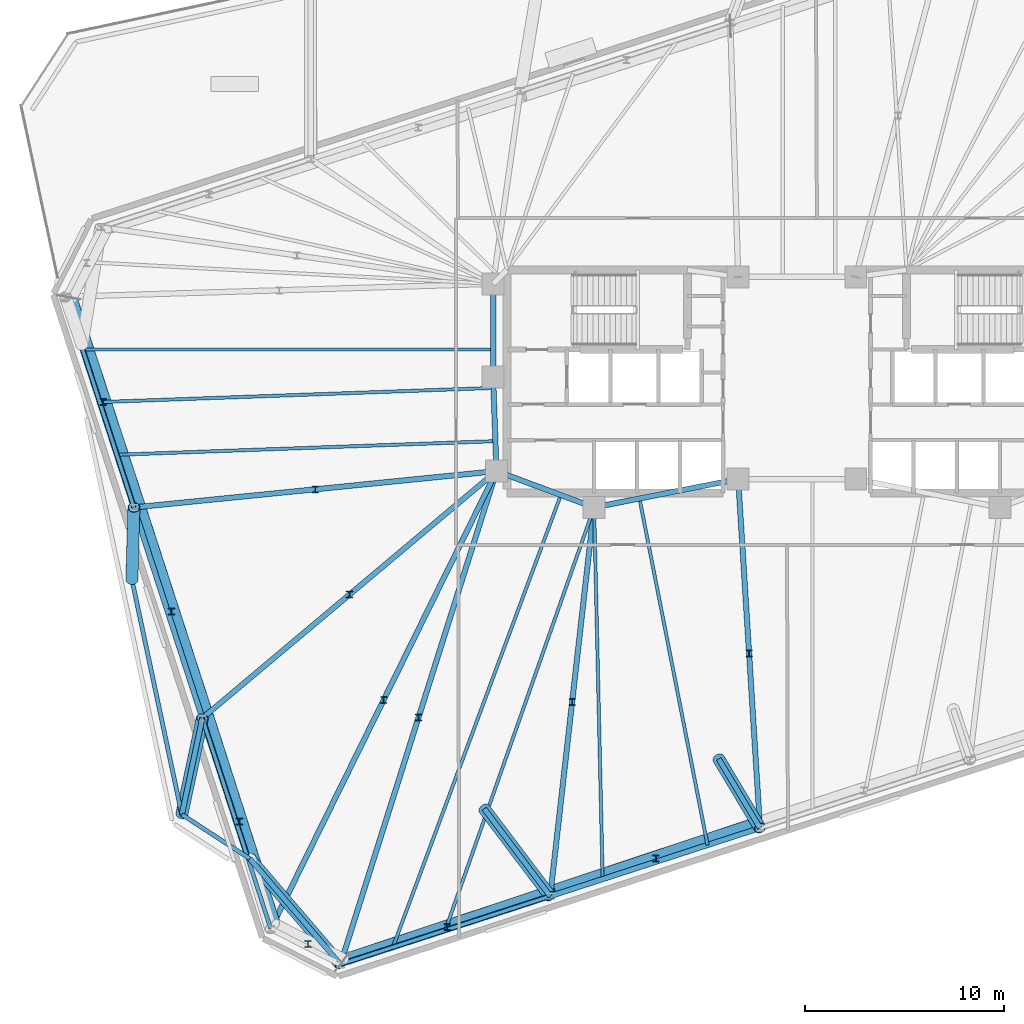
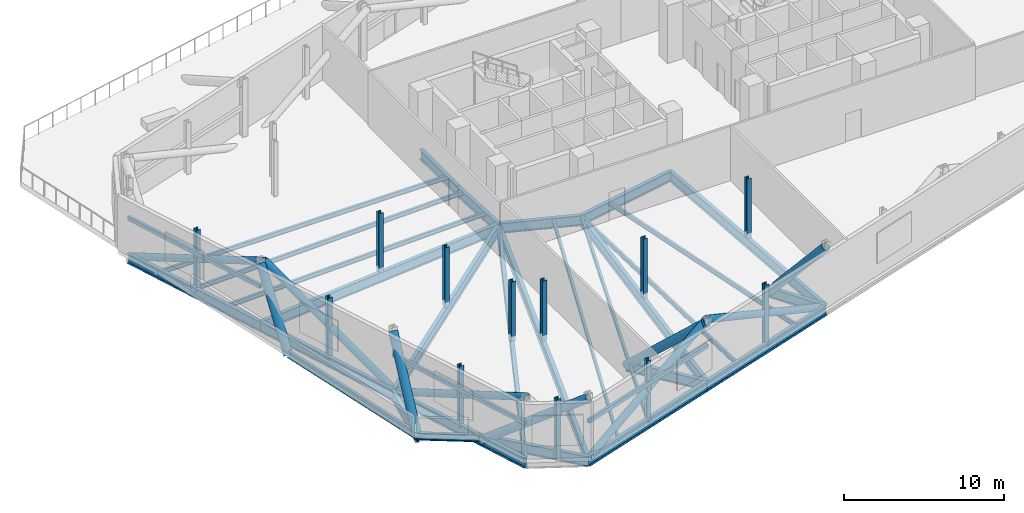
# One storey, part 5 of 16: 28 beams, 25 members.
"""IFC4 building model written with IfcOpenShell, lengths in metres."""

from ifc_helpers import new_model, si_unit, direction, frame, origin, origin_2d, place, context, subcontext, project, spatial, hollow_rectangle, hollow_circle, i_section, extrude, material, material_profile, profile_set, type_object, element, save


model = new_model("IFC4")

# Units and contexts
model_context = context("Model", 3, precision=1e-05, world=origin(), true_north=direction((0.0, 1.0)))
body_context = subcontext(model_context, "Body", "Model", "MODEL_VIEW")
ifc_project = project(units=[si_unit("LENGTHUNIT", "METRE"), si_unit("AREAUNIT", "SQUARE_METRE"), si_unit("VOLUMEUNIT", "CUBIC_METRE"), si_unit("PLANEANGLEUNIT", "RADIAN"), si_unit("MASSUNIT", "GRAM", prefix="KILO")], contexts=[model_context])

# Site, building, storey
site_placement = place(None, origin())
site = spatial("IfcSite", under=ifc_project, at=site_placement, CompositionType="ELEMENT")
building_placement = place(site_placement, origin())
building = spatial("IfcBuilding", under=site, at=building_placement, Name="Menara Jurai Vektor", CompositionType="ELEMENT")
storey_placement = place(building_placement, frame((0.0, 0.0, 202.39990234375)))
storey = spatial("IfcBuildingStorey", under=building, at=storey_placement, Name="L53", CompositionType="ELEMENT", Elevation=202.39990234375)

# Beams
ifc_material_1 = material(Name="Steel S355", Category="steel")
ifc_material_profile_1 = material_profile(ifc_material_1, i_section(OverallWidth=0.2109375, OverallDepth=0.5390625, WebThickness=0.011962890625, FlangeThickness=0.01904296875, FilletRadius=0.012939453125, at=origin_2d()), Name="UKB 533x210x109")
ifc_profile_set_1 = profile_set([ifc_material_profile_1], Name="Steel S355")
beam_type_1 = type_object("IfcBeamType", Name="STR-BM-533", PredefinedType="BEAM", material=ifc_profile_set_1)
beam_1_placement = place(storey_placement, frame((-33.377197265625, -9.94482421875, -0.67431640625), z_axis=(0.207921262698, -0.978145566119, 0.0), x_axis=(0.978145566119, 0.207921262698, 0.0)))
element("IfcBeam", 1, at=beam_1_placement, inside=storey, type_object=beam_type_1, Name="Step Terrace Edge Beam L53-19", PredefinedType="BEAM", context=body_context, shape_type="SweptSolid", body=[
    extrude(i_section(OverallWidth=0.2109375, OverallDepth=0.5390625, WebThickness=0.011962890625, FlangeThickness=0.01904296875, FilletRadius=0.012939453125, at=origin_2d()), origin(), (0.0, 0.0, 1.0), 12.052001953125),
])
beam_2_placement = place(storey_placement, frame((-30.871337890625, -21.7333984375, -0.67431640625), z_axis=(0.838648168484, -0.544673525608, 0.0), x_axis=(0.544673525608, 0.838648168484, 0.0)))
element("IfcBeam", 2, at=beam_2_placement, inside=storey, type_object=beam_type_1, Name="Step Terrace Edge Beam L53-20", PredefinedType="BEAM", context=body_context, shape_type="SweptSolid", body=[
    extrude(i_section(OverallWidth=0.2109375, OverallDepth=0.5390625, WebThickness=0.011962890625, FlangeThickness=0.01904296875, FilletRadius=0.012939453125, at=origin_2d()), origin(), (0.0, 0.0, 1.0), 4.061767578125),
])
ifc_material_2 = material(Name="Steel S460", Category="steel")
ifc_material_profile_2 = material_profile(ifc_material_2, i_section(OverallWidth=0.26806640625, OverallDepth=0.77001953125, WebThickness=0.01611328125, FlangeThickness=0.02490234375, FilletRadius=0.01708984375, at=origin_2d()), Name="UKB 762x267x197")
ifc_profile_set_2 = profile_set([ifc_material_profile_2], Name="Steel S460")
beam_type_2 = type_object("IfcBeamType", Name="STR-BM-TR762", PredefinedType="BEAM", material=ifc_profile_set_2)
beam_3_placement = place(storey_placement, frame((-15.25, 0.219970703125, -0.789794921875), z_axis=(0.0, 1.0, 0.0), x_axis=(-1.0, 0.0, 0.0)))
element("IfcBeam", 3, at=beam_3_placement, inside=storey, type_object=beam_type_2, Name="Core Ring Header Girder L53-CHW-W1", PredefinedType="BEAM", context=body_context, shape_type="SweptSolid", body=[
    extrude(i_section(OverallWidth=0.26806640625, OverallDepth=0.77001953125, WebThickness=0.01611328125, FlangeThickness=0.02490234375, FilletRadius=0.01708984375, at=origin_2d()), origin(), (0.0, 0.0, 1.0), 4.679931640625),
])
beam_4_placement = place(storey_placement, frame((-15.080078125, -4.5, -0.789794921875), z_axis=(-0.035977314146, 0.999352606874, 0.0), x_axis=(-0.999352606874, -0.035977314146, 0.0)))
element("IfcBeam", 4, at=beam_4_placement, inside=storey, type_object=beam_type_2, Name="Core Ring Header Girder L53-CHW-W2", PredefinedType="BEAM", context=body_context, shape_type="SweptSolid", body=[
    extrude(i_section(OverallWidth=0.26806640625, OverallDepth=0.77001953125, WebThickness=0.01611328125, FlangeThickness=0.02490234375, FilletRadius=0.01708984375, at=origin_2d()), origin(), (0.0, 0.0, 1.0), 4.72314453125),
])
beam_5_placement = place(storey_placement, frame((-15.080078125, -4.5, -0.789794921875), z_axis=(0.937424400887, -0.348188874925, 0.0), x_axis=(0.348188874925, 0.937424400887, 0.0)))
element("IfcBeam", 5, at=beam_5_placement, inside=storey, type_object=beam_type_2, Name="Core Ring Header Girder L53-CHW-S1", PredefinedType="BEAM", context=body_context, shape_type="SweptSolid", body=[
    extrude(i_section(OverallWidth=0.26806640625, OverallDepth=0.77001953125, WebThickness=0.01611328125, FlangeThickness=0.02490234375, FilletRadius=0.01708984375, at=origin_2d()), origin(), (0.0, 0.0, 1.0), 5.227294921875),
])
beam_6_placement = place(storey_placement, frame((-10.179931640625, -6.320068359375, -0.789794921875), z_axis=(0.981249044334, 0.192744164614, 0.0), x_axis=(-0.192744164614, 0.981249044334, 0.0)))
element("IfcBeam", 6, at=beam_6_placement, inside=storey, type_object=beam_type_2, Name="Core Ring Header Girder L53-CHW-S2", PredefinedType="BEAM", context=body_context, shape_type="SweptSolid", body=[
    extrude(i_section(OverallWidth=0.26806640625, OverallDepth=0.77001953125, WebThickness=0.01611328125, FlangeThickness=0.02490234375, FilletRadius=0.01708984375, at=origin_2d()), origin(), (0.0, 0.0, 1.0), 7.3681640625),
])
beam_7_placement = place(storey_placement, frame((-22.912841796875, -29.2509765625, -0.789794921875), z_axis=(0.951057401967, 0.309014268544, 0.0), x_axis=(-0.309014268544, 0.951057401967, 0.0)))
element("IfcBeam", 7, at=beam_7_placement, inside=storey, type_object=beam_type_2, Name="Belt Truss Bottom Chord L53-01", PredefinedType="BEAM", context=body_context, shape_type="SweptSolid", body=[
    extrude(i_section(OverallWidth=0.26806640625, OverallDepth=0.77001953125, WebThickness=0.01611328125, FlangeThickness=0.02490234375, FilletRadius=0.01708984375, at=origin_2d()), origin(), (0.0, 0.0, 1.0), 11.071044921875),
])
beam_8_placement = place(storey_placement, frame((-27.46484375, -23.94580078125, -0.789794921875), z_axis=(0.651179573936, -0.758923686867, 0.0), x_axis=(0.758923686867, 0.651179573936, 0.0)))
element("IfcBeam", 8, at=beam_8_placement, inside=storey, type_object=beam_type_2, Name="Cantilever Transfer Girder L53-S1", PredefinedType="BEAM", context=body_context, shape_type="SweptSolid", body=[
    extrude(i_section(OverallWidth=0.26806640625, OverallDepth=0.77001953125, WebThickness=0.01611328125, FlangeThickness=0.02490234375, FilletRadius=0.01708984375, at=origin_2d()), origin(), (0.0, 0.0, 1.0), 6.990478515625),
])
beam_9_placement = place(storey_placement, frame((-22.912841796875, -29.2509765625, -0.789794921875), z_axis=(0.301715059084, 0.953398145122, 0.0), x_axis=(-0.953398145122, 0.301715059084, 0.0)))
element("IfcBeam", 9, at=beam_9_placement, inside=storey, type_object=beam_type_2, Name="Outrigger Transfer Girder L53-S1", PredefinedType="BEAM", context=body_context, shape_type="SweptSolid", body=[
    extrude(i_section(OverallWidth=0.26806640625, OverallDepth=0.77001953125, WebThickness=0.01611328125, FlangeThickness=0.02490234375, FilletRadius=0.01708984375, at=origin_2d()), origin(), (0.0, 0.0, 1.0), 25.960693359375),
])
beam_10_placement = place(storey_placement, frame((-12.383544921875, -25.829833984375, -0.789794921875), z_axis=(0.951057401967, 0.309014268544, 0.0), x_axis=(-0.309014268544, 0.951057401967, 0.0)))
element("IfcBeam", 10, at=beam_10_placement, inside=storey, type_object=beam_type_2, Name="Belt Truss Bottom Chord L53-02", PredefinedType="BEAM", context=body_context, shape_type="SweptSolid", body=[
    extrude(i_section(OverallWidth=0.26806640625, OverallDepth=0.77001953125, WebThickness=0.01611328125, FlangeThickness=0.02490234375, FilletRadius=0.01708984375, at=origin_2d()), origin(), (0.0, 0.0, 1.0), 11.071044921875),
])
beam_11_placement = place(storey_placement, frame((-15.696533203125, -21.4443359375, -0.789794921875), z_axis=(0.602775276367, -0.797911001428, 0.0), x_axis=(0.797911001428, 0.602775276367, 0.0)))
element("IfcBeam", 11, at=beam_11_placement, inside=storey, type_object=beam_type_2, Name="Cantilever Transfer Girder L53-S2", PredefinedType="BEAM", context=body_context, shape_type="SweptSolid", body=[
    extrude(i_section(OverallWidth=0.26806640625, OverallDepth=0.77001953125, WebThickness=0.01611328125, FlangeThickness=0.02490234375, FilletRadius=0.01708984375, at=origin_2d()), origin(), (0.0, 0.0, 1.0), 5.496337890625),
])
beam_12_placement = place(storey_placement, frame((-12.383544921875, -25.829833984375, -0.789794921875), z_axis=(0.112235588534, 0.993681625404, 0.0), x_axis=(-0.993681625404, 0.112235588534, 0.0)))
element("IfcBeam", 12, at=beam_12_placement, inside=storey, type_object=beam_type_2, Name="Outrigger Transfer Girder L53-S2", PredefinedType="BEAM", context=body_context, shape_type="SweptSolid", body=[
    extrude(i_section(OverallWidth=0.26806640625, OverallDepth=0.77001953125, WebThickness=0.01611328125, FlangeThickness=0.02490234375, FilletRadius=0.01708984375, at=origin_2d()), origin(), (0.0, 0.0, 1.0), 19.6337890625),
])
beam_13_placement = place(storey_placement, frame((-3.928466796875, -18.94287109375, -0.789794921875), z_axis=(0.513535434058, -0.858068387698, 0.0), x_axis=(0.858068387698, 0.513535434058, 0.0)))
element("IfcBeam", 13, at=beam_13_placement, inside=storey, type_object=beam_type_2, Name="Cantilever Transfer Girder L53-S3", PredefinedType="BEAM", context=body_context, shape_type="SweptSolid", body=[
    extrude(i_section(OverallWidth=0.26806640625, OverallDepth=0.77001953125, WebThickness=0.01611328125, FlangeThickness=0.02490234375, FilletRadius=0.01708984375, at=origin_2d()), origin(), (0.0, 0.0, 1.0), 4.0390625),
])
beam_14_placement = place(storey_placement, frame((-1.854248046875, -22.40869140625, -0.789794921875), z_axis=(-0.062457995419, 0.998047593458, 0.0), x_axis=(-0.998047593458, -0.062457995419, 0.0)))
element("IfcBeam", 14, at=beam_14_placement, inside=storey, type_object=beam_type_2, Name="Outrigger Transfer Girder L53-S3", PredefinedType="BEAM", context=body_context, shape_type="SweptSolid", body=[
    extrude(i_section(OverallWidth=0.26806640625, OverallDepth=0.77001953125, WebThickness=0.01611328125, FlangeThickness=0.02490234375, FilletRadius=0.01708984375, at=origin_2d()), origin(), (0.0, 0.0, 1.0), 17.54296875),
])
beam_15_placement = place(storey_placement, frame((-36.71337890625, 4.251953125, -0.789794921875), z_axis=(0.309012092614, -0.95105810896, 0.0), x_axis=(0.95105810896, 0.309012092614, 0.0)))
element("IfcBeam", 15, at=beam_15_placement, inside=storey, type_object=beam_type_2, Name="Belt Truss Bottom Chord L53-17", PredefinedType="BEAM", context=body_context, shape_type="SweptSolid", body=[
    extrude(i_section(OverallWidth=0.26806640625, OverallDepth=0.77001953125, WebThickness=0.01611328125, FlangeThickness=0.02490234375, FilletRadius=0.01708984375, at=origin_2d()), origin(), (0.0, 0.0, 1.0), 11.11865234375),
])
beam_16_placement = place(storey_placement, frame((-33.277587890625, -6.322509765625, -0.789794921875), z_axis=(0.309018545885, -0.951056012178, 0.0), x_axis=(0.951056012178, 0.309018545885, 0.0)))
element("IfcBeam", 16, at=beam_16_placement, inside=storey, type_object=beam_type_2, Name="Belt Truss Bottom Chord L53-18", PredefinedType="BEAM", context=body_context, shape_type="SweptSolid", body=[
    extrude(i_section(OverallWidth=0.26806640625, OverallDepth=0.77001953125, WebThickness=0.01611328125, FlangeThickness=0.02490234375, FilletRadius=0.01708984375, at=origin_2d()), origin(), (0.0, 0.0, 1.0), 11.118408203125),
])
beam_17_placement = place(storey_placement, frame((-33.277587890625, -6.322509765625, -0.789794921875), z_axis=(0.995022243563, 0.099653072276, 0.0), x_axis=(-0.099653072276, 0.995022243563, 0.0)))
element("IfcBeam", 17, at=beam_17_placement, inside=storey, type_object=beam_type_2, Name="Outrigger Transfer Girder L53-W2", PredefinedType="BEAM", context=body_context, shape_type="SweptSolid", body=[
    extrude(i_section(OverallWidth=0.26806640625, OverallDepth=0.77001953125, WebThickness=0.01611328125, FlangeThickness=0.02490234375, FilletRadius=0.01708984375, at=origin_2d()), origin(), (0.0, 0.0, 1.0), 18.28857421875),
])
beam_18_placement = place(storey_placement, frame((-29.841796875, -16.896728515625, -0.789794921875), z_axis=(0.309012092614, -0.95105810896, 0.0), x_axis=(0.95105810896, 0.309012092614, 0.0)))
element("IfcBeam", 18, at=beam_18_placement, inside=storey, type_object=beam_type_2, Name="Belt Truss Bottom Chord L53-19", PredefinedType="BEAM", context=body_context, shape_type="SweptSolid", body=[
    extrude(i_section(OverallWidth=0.26806640625, OverallDepth=0.77001953125, WebThickness=0.01611328125, FlangeThickness=0.02490234375, FilletRadius=0.01708984375, at=origin_2d()), origin(), (0.0, 0.0, 1.0), 11.11865234375),
])
beam_19_placement = place(storey_placement, frame((-30.871337890625, -21.7333984375, -0.789794921875), z_axis=(0.20819708425, 0.978086894969, 0.0), x_axis=(-0.978086894969, 0.20819708425, 0.0)))
element("IfcBeam", 19, at=beam_19_placement, inside=storey, type_object=beam_type_2, Name="Cantilever Transfer Girder L53-W3", PredefinedType="BEAM", context=body_context, shape_type="SweptSolid", body=[
    extrude(i_section(OverallWidth=0.26806640625, OverallDepth=0.77001953125, WebThickness=0.01611328125, FlangeThickness=0.02490234375, FilletRadius=0.01708984375, at=origin_2d()), origin(), (0.0, 0.0, 1.0), 4.945068359375),
])
beam_20_placement = place(storey_placement, frame((-29.841796875, -16.896728515625, -0.789794921875), z_axis=(0.765784449649, 0.64309733064, 0.0), x_axis=(-0.64309733064, 0.765784449649, 0.0)))
element("IfcBeam", 20, at=beam_20_placement, inside=storey, type_object=beam_type_2, Name="Outrigger Transfer Girder L53-W3", PredefinedType="BEAM", context=body_context, shape_type="SweptSolid", body=[
    extrude(i_section(OverallWidth=0.26806640625, OverallDepth=0.77001953125, WebThickness=0.01611328125, FlangeThickness=0.02490234375, FilletRadius=0.01708984375, at=origin_2d()), origin(), (0.0, 0.0, 1.0), 19.276611328125),
])
beam_21_placement = place(storey_placement, frame((-26.406005859375, -27.47119140625, -0.789794921875), z_axis=(0.442219272094, 0.896906971424, 0.0), x_axis=(-0.896906971424, 0.442219272094, 0.0)))
element("IfcBeam", 21, at=beam_21_placement, inside=storey, type_object=beam_type_2, Name="Outrigger Transfer Girder L53-W4", PredefinedType="BEAM", context=body_context, shape_type="SweptSolid", body=[
    extrude(i_section(OverallWidth=0.26806640625, OverallDepth=0.77001953125, WebThickness=0.01611328125, FlangeThickness=0.02490234375, FilletRadius=0.01708984375, at=origin_2d()), origin(), (0.0, 0.0, 1.0), 25.611572265625),
])

# Members
ifc_material_profile_3 = material_profile(ifc_material_2, hollow_circle(Radius=0.25390625, WallThickness=0.02001953125, at=origin_2d()), Name="CHS 508x20")
ifc_profile_set_3 = profile_set([ifc_material_profile_3], Name="Steel S460")
member_type_1 = type_object("IfcMemberType", Name="STR-BR-508", PredefinedType="BRACE", material=ifc_profile_set_3)
member_1_placement = place(storey_placement, frame((-22.70849609375, -28.97900390625, -0.789794921875), z_axis=(0.870739638185, 0.288443688289, 0.398262126217), x_axis=(-0.314458305207, 0.949271285928, 0.0)))
element("IfcMember", 22, at=member_1_placement, inside=storey, type_object=member_type_1, Name="Belt Truss Web Diagonal L53-01", PredefinedType="BRACE", context=body_context, shape_type="SweptSolid", body=[
    extrude(hollow_circle(Radius=0.25390625, WallThickness=0.02001953125, at=origin_2d()), origin(), (0.0, 0.0, 1.0), 12.007080078125),
])
member_2_placement = place(storey_placement, frame((-1.86669921875, -22.06884765625, -0.789794921875), z_axis=(-0.869702185624, -0.288606042136, 0.400405620295), x_axis=(0.314955879371, -0.949106313355, 0.0)))
element("IfcMember", 23, at=member_2_placement, inside=storey, type_object=member_type_1, Name="Belt Truss Web Diagonal L53-02", PredefinedType="BRACE", context=body_context, shape_type="SweptSolid", body=[
    extrude(hollow_circle(Radius=0.25390625, WallThickness=0.02001953125, at=origin_2d()), origin(), (0.0, 0.0, 1.0), 11.94287109375),
])
member_3_placement = place(storey_placement, frame((-36.37939453125, 4.188720703125, -0.789794921875), z_axis=(0.286335898827, -0.871469457644, 0.398186812234), x_axis=(0.950033063474, 0.312149288491, 0.0)))
element("IfcMember", 24, at=member_3_placement, inside=storey, type_object=member_type_1, Name="Belt Truss Web Diagonal L53-17", PredefinedType="BRACE", context=body_context, shape_type="SweptSolid", body=[
    extrude(hollow_circle(Radius=0.25390625, WallThickness=0.02001953125, at=origin_2d()), origin(), (0.0, 0.0, 1.0), 12.00927734375),
])
member_4_placement = place(storey_placement, frame((-29.54248046875, -16.7353515625, -0.789794921875), z_axis=(-0.283389387179, 0.872156848809, 0.398789275571), x_axis=(-0.951053808599, -0.309025327682, 0.0)))
element("IfcMember", 25, at=member_4_placement, inside=storey, type_object=member_type_1, Name="Belt Truss Web Diagonal L53-18", PredefinedType="BRACE", context=body_context, shape_type="SweptSolid", body=[
    extrude(hollow_circle(Radius=0.25390625, WallThickness=0.02001953125, at=origin_2d()), origin(), (0.0, 0.0, 1.0), 11.9912109375),
])
member_5_placement = place(storey_placement, frame((-29.54248046875, -16.7353515625, -0.789794921875), z_axis=(0.28058251207, -0.873338988447, 0.398186470361), x_axis=(0.952070979814, 0.305877180247, 0.0)))
element("IfcMember", 26, at=member_5_placement, inside=storey, type_object=member_type_1, Name="Belt Truss Web Diagonal L53-19", PredefinedType="BRACE", context=body_context, shape_type="SweptSolid", body=[
    extrude(hollow_circle(Radius=0.25390625, WallThickness=0.02001953125, at=origin_2d()), origin(), (0.0, 0.0, 1.0), 12.009521484375),
])
ifc_material_profile_4 = material_profile(ifc_material_2, hollow_rectangle(XDim=0.199951171875, YDim=0.300048828125, WallThickness=0.012451171875, at=origin_2d()), Name="RHS 300x200x12.5")
ifc_profile_set_4 = profile_set([ifc_material_profile_4], Name="Steel S460")
member_type_2 = type_object("IfcMemberType", Name="STR-CH-RHS300", PredefinedType="CHORD", material=ifc_profile_set_4)
member_6_placement = place(storey_placement, frame((-22.912841796875, -29.2509765625, 2.22998046875), z_axis=(0.951057401967, 0.309014268544, 0.0), x_axis=(-0.309014268544, 0.951057401967, 0.0)))
element("IfcMember", 27, at=member_6_placement, inside=storey, type_object=member_type_2, Name="Belt Truss Mid Chord L53-01", PredefinedType="CHORD", context=body_context, shape_type="SweptSolid", body=[
    extrude(hollow_rectangle(XDim=0.199951171875, YDim=0.300048828125, WallThickness=0.012451171875, at=origin_2d()), origin(), (0.0, 0.0, 1.0), 11.071044921875),
])
member_7_placement = place(storey_placement, frame((-36.71337890625, 4.251953125, 2.22998046875), z_axis=(0.309018545885, -0.951056012178, 0.0), x_axis=(0.951056012178, 0.309018545885, 0.0)))
element("IfcMember", 28, at=member_7_placement, inside=storey, type_object=member_type_2, Name="Belt Truss Mid Chord L53-17", PredefinedType="CHORD", context=body_context, shape_type="SweptSolid", body=[
    extrude(hollow_rectangle(XDim=0.199951171875, YDim=0.300048828125, WallThickness=0.012451171875, at=origin_2d()), origin(), (0.0, 0.0, 1.0), 11.118408203125),
])
member_8_placement = place(storey_placement, frame((-29.841796875, -16.896728515625, 2.22998046875), z_axis=(0.309012092614, -0.95105810896, 0.0), x_axis=(0.95105810896, 0.309012092614, 0.0)))
element("IfcMember", 29, at=member_8_placement, inside=storey, type_object=member_type_2, Name="Belt Truss Mid Chord L53-19", PredefinedType="CHORD", context=body_context, shape_type="SweptSolid", body=[
    extrude(hollow_rectangle(XDim=0.199951171875, YDim=0.300048828125, WallThickness=0.012451171875, at=origin_2d()), origin(), (0.0, 0.0, 1.0), 11.11865234375),
])

# Beams
ifc_material_profile_5 = material_profile(ifc_material_1, i_section(OverallWidth=0.1650390625, OverallDepth=0.330078125, WebThickness=0.009033203125, FlangeThickness=0.013916015625, at=origin_2d()), Name="PG 330x165x46")
ifc_profile_set_5 = profile_set([ifc_material_profile_5], Name="Steel S355")
beam_type_3 = type_object("IfcBeamType", Name="STR-JS-330", PredefinedType="JOIST", material=ifc_profile_set_5)
beam_22_placement = place(storey_placement, frame((-20.280517578125, -28.395751953125, -0.56982421875), z_axis=(0.348182225555, 0.937426870645, 0.0), x_axis=(-0.937426870645, 0.348182225555, 0.0)))
element("IfcBeam", 30, at=beam_22_placement, inside=storey, type_object=beam_type_3, Name="Radial Secondary Floor Joist L53-JS01", PredefinedType="JOIST", context=body_context, shape_type="SweptSolid", body=[
    extrude(i_section(OverallWidth=0.1650390625, OverallDepth=0.330078125, WebThickness=0.009033203125, FlangeThickness=0.013916015625, at=origin_2d()), origin(), (0.0, 0.0, 1.0), 24.211181640625),
])
beam_23_placement = place(storey_placement, frame((-17.648193359375, -27.540283203125, -0.56982421875), z_axis=(0.331980963321, 0.943286085974, 0.0), x_axis=(-0.943286085974, 0.331980963321, 0.0)))
element("IfcBeam", 31, at=beam_23_placement, inside=storey, type_object=beam_type_3, Name="Radial Secondary Floor Joist L53-JS02", PredefinedType="JOIST", context=body_context, shape_type="SweptSolid", body=[
    extrude(i_section(OverallWidth=0.1650390625, OverallDepth=0.330078125, WebThickness=0.009033203125, FlangeThickness=0.013916015625, at=origin_2d()), origin(), (0.0, 0.0, 1.0), 22.49609375),
])
beam_24_placement = place(storey_placement, frame((-9.751220703125, -24.974609375, -0.56982421875), z_axis=(-0.022975519442, 0.999736027913, 0.0), x_axis=(-0.999736027913, -0.022975519442, 0.0)))
element("IfcBeam", 32, at=beam_24_placement, inside=storey, type_object=beam_type_3, Name="Radial Secondary Floor Joist L53-JS03", PredefinedType="JOIST", context=body_context, shape_type="SweptSolid", body=[
    extrude(i_section(OverallWidth=0.1650390625, OverallDepth=0.330078125, WebThickness=0.009033203125, FlangeThickness=0.013916015625, at=origin_2d()), origin(), (0.0, 0.0, 1.0), 18.659423828125),
])
beam_25_placement = place(storey_placement, frame((-4.486572265625, -23.263916015625, -0.56982421875), z_axis=(-0.192724225092, 0.981252960792, 0.0), x_axis=(-0.981252960792, -0.192724225092, 0.0)))
element("IfcBeam", 33, at=beam_25_placement, inside=storey, type_object=beam_type_3, Name="Radial Secondary Floor Joist L53-JS04", PredefinedType="JOIST", context=body_context, shape_type="SweptSolid", body=[
    extrude(i_section(OverallWidth=0.1650390625, OverallDepth=0.330078125, WebThickness=0.009033203125, FlangeThickness=0.013916015625, at=origin_2d()), origin(), (0.0, 0.0, 1.0), 17.7236328125),
])
beam_26_placement = place(storey_placement, frame((-35.8544921875, 1.6083984375, -0.56982421875), z_axis=(1.0, 0.0, 0.0), x_axis=(0.0, 1.0, 0.0)))
element("IfcBeam", 34, at=beam_26_placement, inside=storey, type_object=beam_type_3, Name="Radial Secondary Floor Joist L53-JS28", PredefinedType="JOIST", context=body_context, shape_type="SweptSolid", body=[
    extrude(i_section(OverallWidth=0.1650390625, OverallDepth=0.330078125, WebThickness=0.009033203125, FlangeThickness=0.013916015625, at=origin_2d()), origin(), (0.0, 0.0, 1.0), 20.6044921875),
])
beam_27_placement = place(storey_placement, frame((-34.99560546875, -1.03515625, -0.56982421875), z_axis=(0.999351957959, 0.035995334734, 0.0), x_axis=(-0.035995334734, 0.999351957959, 0.0)))
element("IfcBeam", 35, at=beam_27_placement, inside=storey, type_object=beam_type_3, Name="Radial Secondary Floor Joist L53-JS29", PredefinedType="JOIST", context=body_context, shape_type="SweptSolid", body=[
    extrude(i_section(OverallWidth=0.1650390625, OverallDepth=0.330078125, WebThickness=0.009033203125, FlangeThickness=0.013916015625, at=origin_2d()), origin(), (0.0, 0.0, 1.0), 19.77783203125),
])
beam_28_placement = place(storey_placement, frame((-34.136474609375, -3.6787109375, -0.56982421875), z_axis=(0.999352161922, 0.035989671603, 0.0), x_axis=(-0.035989671603, 0.999352161922, 0.0)))
element("IfcBeam", 36, at=beam_28_placement, inside=storey, type_object=beam_type_3, Name="Radial Secondary Floor Joist L53-JS30", PredefinedType="JOIST", context=body_context, shape_type="SweptSolid", body=[
    extrude(i_section(OverallWidth=0.1650390625, OverallDepth=0.330078125, WebThickness=0.009033203125, FlangeThickness=0.013916015625, at=origin_2d()), origin(), (0.0, 0.0, 1.0), 19.014404296875),
])

# Members
ifc_material_profile_6 = material_profile(ifc_material_2, i_section(OverallWidth=0.31103515625, OverallDepth=0.326904296875, WebThickness=0.01611328125, FlangeThickness=0.02490234375, FilletRadius=0.014892578125, at=origin_2d()), Name="UKC 305x305x158")
ifc_profile_set_6 = profile_set([ifc_material_profile_6], Name="Steel S460")
member_type_3 = type_object("IfcMemberType", Name="STR-POST-305", PredefinedType="POST", material=ifc_profile_set_6)
member_9_placement = place(storey_placement, frame((-18.996337890625, -16.87548828125, -0.40478515625), z_axis=(0.0, 0.0, 1.0), x_axis=(1.0, 0.0, 0.0)))
element("IfcMember", 37, at=member_9_placement, inside=storey, type_object=member_type_3, Name="Girder Hanger L53-S1", PredefinedType="POST", context=body_context, shape_type="SweptSolid", body=[
    extrude(i_section(OverallWidth=0.31103515625, OverallDepth=0.326904296875, WebThickness=0.01611328125, FlangeThickness=0.02490234375, FilletRadius=0.014892578125, at=origin_2d()), origin(), (0.0, 0.0, 1.0), 4.554931640625),
])
member_10_placement = place(storey_placement, frame((-17.55615234375, -27.385498046875, -0.7548828125), z_axis=(0.0, 0.0, 1.0), x_axis=(1.0, 0.0, 0.0)))
element("IfcMember", 38, at=member_10_placement, inside=storey, type_object=member_type_3, Name="Belt Truss Vertical Web Post L53-01", PredefinedType="POST", context=body_context, shape_type="SweptSolid", body=[
    extrude(i_section(OverallWidth=0.31103515625, OverallDepth=0.326904296875, WebThickness=0.01611328125, FlangeThickness=0.02490234375, FilletRadius=0.014892578125, at=origin_2d()), origin(), (0.0, 0.0, 1.0), 4.705078125),
])
member_11_placement = place(storey_placement, frame((-11.28173828125, -16.074951171875, -0.40478515625), z_axis=(0.0, 0.0, 1.0), x_axis=(1.0, 0.0, 0.0)))
element("IfcMember", 39, at=member_11_placement, inside=storey, type_object=member_type_3, Name="Girder Hanger L53-S2", PredefinedType="POST", context=body_context, shape_type="SweptSolid", body=[
    extrude(i_section(OverallWidth=0.31103515625, OverallDepth=0.326904296875, WebThickness=0.01611328125, FlangeThickness=0.02490234375, FilletRadius=0.014892578125, at=origin_2d()), origin(), (0.0, 0.0, 1.0), 4.554931640625),
])
member_12_placement = place(storey_placement, frame((-7.08251953125, -23.94287109375, -0.7548828125), z_axis=(0.0, 0.0, 1.0), x_axis=(1.0, 0.0, 0.0)))
element("IfcMember", 40, at=member_12_placement, inside=storey, type_object=member_type_3, Name="Belt Truss Vertical Web Post L53-02", PredefinedType="POST", context=body_context, shape_type="SweptSolid", body=[
    extrude(i_section(OverallWidth=0.31103515625, OverallDepth=0.326904296875, WebThickness=0.01611328125, FlangeThickness=0.02490234375, FilletRadius=0.014892578125, at=origin_2d()), origin(), (0.0, 0.0, 1.0), 4.705078125),
])
member_13_placement = place(storey_placement, frame((-2.402099609375, -13.654296875, -0.40478515625), z_axis=(0.0, 0.0, 1.0), x_axis=(1.0, 0.0, 0.0)))
element("IfcMember", 41, at=member_13_placement, inside=storey, type_object=member_type_3, Name="Girder Hanger L53-S3", PredefinedType="POST", context=body_context, shape_type="SweptSolid", body=[
    extrude(i_section(OverallWidth=0.31103515625, OverallDepth=0.326904296875, WebThickness=0.01611328125, FlangeThickness=0.02490234375, FilletRadius=0.014892578125, at=origin_2d()), origin(), (0.0, 0.0, 1.0), 4.554931640625),
])
member_14_placement = place(storey_placement, frame((-34.815673828125, -1.041748046875, -0.7548828125), z_axis=(0.0, 0.0, 1.0), x_axis=(1.0, 0.0, 0.0)))
element("IfcMember", 42, at=member_14_placement, inside=storey, type_object=member_type_3, Name="Belt Truss Vertical Web Post L53-17", PredefinedType="POST", context=body_context, shape_type="SweptSolid", body=[
    extrude(i_section(OverallWidth=0.31103515625, OverallDepth=0.326904296875, WebThickness=0.01611328125, FlangeThickness=0.02490234375, FilletRadius=0.014892578125, at=origin_2d()), origin(), (0.0, 0.0, 1.0), 4.705078125),
])
member_15_placement = place(storey_placement, frame((-24.1787109375, -5.4111328125, -0.40478515625), z_axis=(0.0, 0.0, 1.0), x_axis=(1.0, 0.0, 0.0)))
element("IfcMember", 43, at=member_15_placement, inside=storey, type_object=member_type_3, Name="Girder Hanger L53-W2", PredefinedType="POST", context=body_context, shape_type="SweptSolid", body=[
    extrude(i_section(OverallWidth=0.31103515625, OverallDepth=0.326904296875, WebThickness=0.01611328125, FlangeThickness=0.02490234375, FilletRadius=0.014892578125, at=origin_2d()), origin(), (0.0, 0.0, 1.0), 4.554931640625),
])
member_16_placement = place(storey_placement, frame((-31.388427734375, -11.553955078125, -0.7548828125), z_axis=(0.0, 0.0, 1.0), x_axis=(1.0, 0.0, 0.0)))
element("IfcMember", 44, at=member_16_placement, inside=storey, type_object=member_type_3, Name="Belt Truss Vertical Web Post L53-18", PredefinedType="POST", context=body_context, shape_type="SweptSolid", body=[
    extrude(i_section(OverallWidth=0.31103515625, OverallDepth=0.326904296875, WebThickness=0.01611328125, FlangeThickness=0.02490234375, FilletRadius=0.014892578125, at=origin_2d()), origin(), (0.0, 0.0, 1.0), 4.705078125),
])
member_17_placement = place(storey_placement, frame((-22.4609375, -10.698486328125, -0.40478515625), z_axis=(0.0, 0.0, 1.0), x_axis=(1.0, 0.0, 0.0)))
element("IfcMember", 45, at=member_17_placement, inside=storey, type_object=member_type_3, Name="Girder Hanger L53-W3", PredefinedType="POST", context=body_context, shape_type="SweptSolid", body=[
    extrude(i_section(OverallWidth=0.31103515625, OverallDepth=0.326904296875, WebThickness=0.01611328125, FlangeThickness=0.02490234375, FilletRadius=0.014892578125, at=origin_2d()), origin(), (0.0, 0.0, 1.0), 4.554931640625),
])
member_18_placement = place(storey_placement, frame((-27.982177734375, -22.072998046875, -0.7548828125), z_axis=(0.0, 0.0, 1.0), x_axis=(1.0, 0.0, 0.0)))
element("IfcMember", 46, at=member_18_placement, inside=storey, type_object=member_type_3, Name="Belt Truss Vertical Web Post L53-19", PredefinedType="POST", context=body_context, shape_type="SweptSolid", body=[
    extrude(i_section(OverallWidth=0.31103515625, OverallDepth=0.326904296875, WebThickness=0.01611328125, FlangeThickness=0.02490234375, FilletRadius=0.014892578125, at=origin_2d()), origin(), (0.0, 0.0, 1.0), 4.705078125),
])
member_19_placement = place(storey_placement, frame((-20.742919921875, -15.985595703125, -0.40478515625), z_axis=(0.0, 0.0, 1.0), x_axis=(1.0, 0.0, 0.0)))
element("IfcMember", 47, at=member_19_placement, inside=storey, type_object=member_type_3, Name="Girder Hanger L53-W4", PredefinedType="POST", context=body_context, shape_type="SweptSolid", body=[
    extrude(i_section(OverallWidth=0.31103515625, OverallDepth=0.326904296875, WebThickness=0.01611328125, FlangeThickness=0.02490234375, FilletRadius=0.014892578125, at=origin_2d()), origin(), (0.0, 0.0, 1.0), 4.554931640625),
])
member_20_placement = place(storey_placement, frame((-24.543212890625, -28.223388671875, -0.7548828125), z_axis=(0.0, 0.0, 1.0), x_axis=(1.0, 0.0, 0.0)))
element("IfcMember", 48, at=member_20_placement, inside=storey, type_object=member_type_3, Name="Belt Truss Vertical Web Post L53-20", PredefinedType="POST", context=body_context, shape_type="SweptSolid", body=[
    extrude(i_section(OverallWidth=0.31103515625, OverallDepth=0.326904296875, WebThickness=0.01611328125, FlangeThickness=0.02490234375, FilletRadius=0.014892578125, at=origin_2d()), origin(), (0.0, 0.0, 1.0), 4.705078125),
])
ifc_material_profile_7 = material_profile(ifc_material_2, hollow_circle(Radius=0.304931640625, WallThickness=0.02490234375, at=origin_2d()), Name="CHS 610x25")
ifc_profile_set_7 = profile_set([ifc_material_profile_7], Name="Steel S460")
member_type_4 = type_object("IfcMemberType", Name="STR-ST-610", PredefinedType="STRUT", material=ifc_profile_set_7)
member_21_placement = place(storey_placement, frame((-27.46484375, -23.94580078125, -0.789794921875), z_axis=(0.537456154361, -0.626383600658, 0.564610013165), x_axis=(0.758923686867, 0.651179573936, 0.0)))
element("IfcMember", 49, at=member_21_placement, inside=storey, type_object=member_type_4, Name="Transfer Outrigger Strut L53-S1", PredefinedType="STRUT", context=body_context, shape_type="SweptSolid", body=[
    extrude(hollow_circle(Radius=0.304931640625, WallThickness=0.02490234375, at=origin_2d()), origin(), (0.0, 0.0, 1.0), 8.469482421875),
])
member_22_placement = place(storey_placement, frame((-15.696533203125, -21.4443359375, -0.789794921875), z_axis=(0.45474869364, -0.6019639487, 0.656386342102), x_axis=(0.797911001428, 0.602775276367, 0.0)))
element("IfcMember", 50, at=member_22_placement, inside=storey, type_object=member_type_4, Name="Transfer Outrigger Strut L53-S2", PredefinedType="STRUT", context=body_context, shape_type="SweptSolid", body=[
    extrude(hollow_circle(Radius=0.304931640625, WallThickness=0.02490234375, at=origin_2d()), origin(), (0.0, 0.0, 1.0), 7.285400390625),
])
member_23_placement = place(storey_placement, frame((-3.928466796875, -18.94287109375, -0.789794921875), z_axis=(0.331370006852, -0.553687454952, 0.763952957182), x_axis=(0.858068387698, 0.513535434058, 0.0)))
element("IfcMember", 51, at=member_23_placement, inside=storey, type_object=member_type_4, Name="Transfer Outrigger Strut L53-S3", PredefinedType="STRUT", context=body_context, shape_type="SweptSolid", body=[
    extrude(hollow_circle(Radius=0.304931640625, WallThickness=0.02490234375, at=origin_2d()), origin(), (0.0, 0.0, 1.0), 6.259521484375),
])
member_24_placement = place(storey_placement, frame((-33.377197265625, -9.945068359375, -0.789794921875), z_axis=(0.016601106538, 0.603783872338, 0.796975180772), x_axis=(-0.999622223527, 0.027484727219, 0.0)))
element("IfcMember", 52, at=member_24_placement, inside=storey, type_object=member_type_4, Name="Transfer Outrigger Strut L53-W2", PredefinedType="STRUT", context=body_context, shape_type="SweptSolid", body=[
    extrude(hollow_circle(Radius=0.304931640625, WallThickness=0.02490234375, at=origin_2d()), origin(), (0.0, 0.0, 1.0), 6.000244140625),
])
member_25_placement = place(storey_placement, frame((-30.871337890625, -21.7333984375, -0.789794921875), z_axis=(0.149664271035, 0.703106206659, 0.695156290436), x_axis=(-0.978086894969, 0.20819708425, 0.0)))
element("IfcMember", 53, at=member_25_placement, inside=storey, type_object=member_type_4, Name="Transfer Outrigger Strut L53-W3", PredefinedType="STRUT", context=body_context, shape_type="SweptSolid", body=[
    extrude(hollow_circle(Radius=0.304931640625, WallThickness=0.02490234375, at=origin_2d()), origin(), (0.0, 0.0, 1.0), 6.87890625),
])

save(model, "model.ifc")
